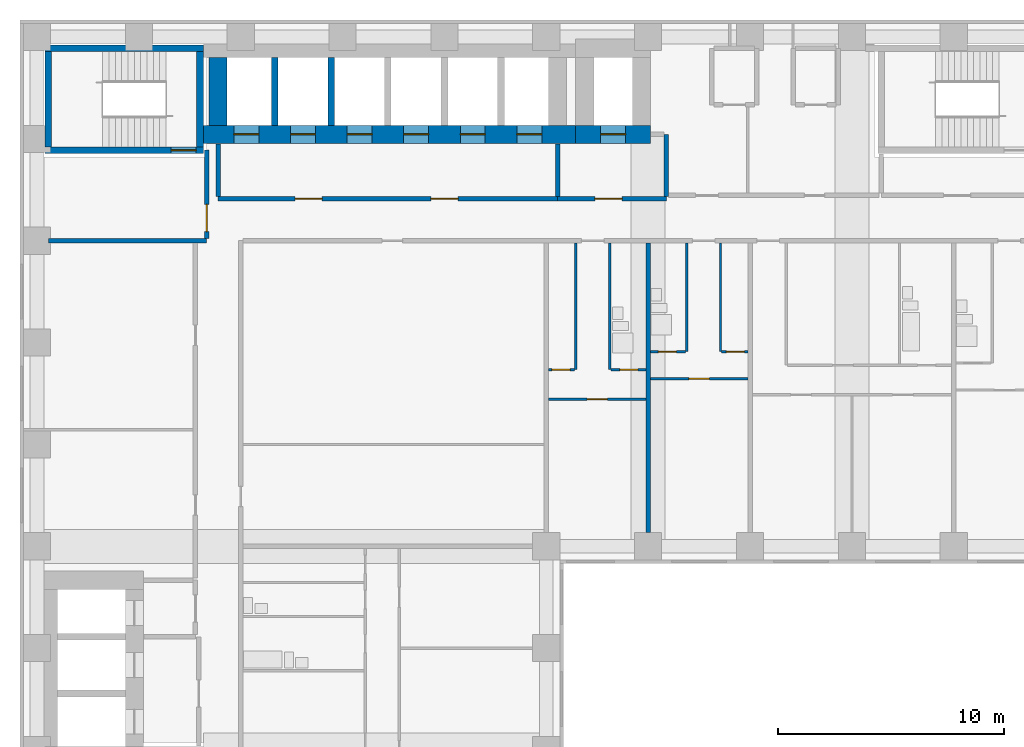
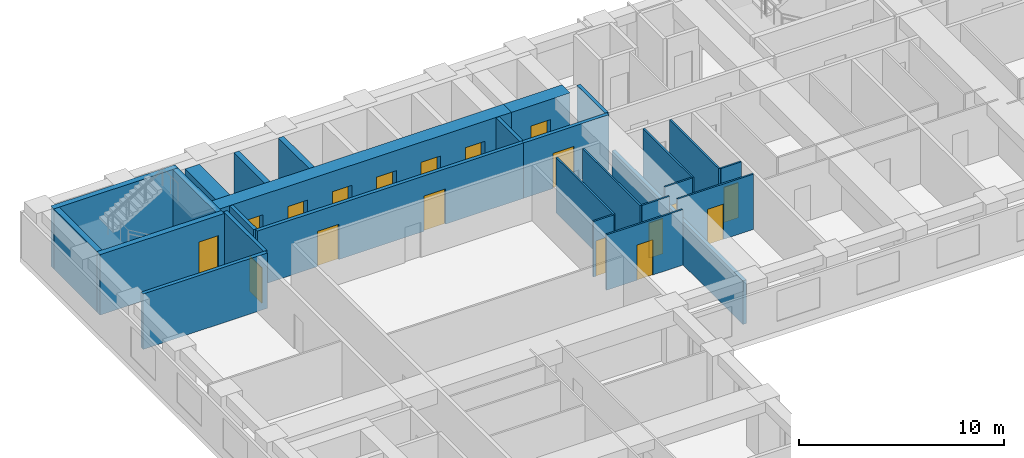
# One storey, part 5 of 12: 27 walls, 18 doors, 18 openings.
"""IFC4 building model written with IfcOpenShell, lengths in metres."""

from ifc_helpers import new_model, si_unit, direction, frame, frame_2d, origin, place, context, subcontext, project, spatial, rectangle, extrude, material, layer, layer_set, type_object, element, fill, save


model = new_model("IFC4")

# Units and contexts
model_context = context("Model", 3, precision=1e-05, world=origin(), true_north=direction((0.0, 1.0)))
body_context = subcontext(model_context, "Body", "Model", "MODEL_VIEW")
ifc_project = project(units=[si_unit("LENGTHUNIT", "METRE"), si_unit("AREAUNIT", "SQUARE_METRE"), si_unit("VOLUMEUNIT", "CUBIC_METRE"), si_unit("PLANEANGLEUNIT", "RADIAN"), si_unit("MASSUNIT", "GRAM", prefix="KILO")], contexts=[model_context])

# Site, building, storey
site_placement = place(None, origin())
site = spatial("IfcSite", under=ifc_project, at=site_placement, CompositionType="ELEMENT")
building_placement = place(site_placement, origin())
building = spatial("IfcBuilding", under=site, at=building_placement, Name="Firuza Court", CompositionType="ELEMENT")
storey_placement = place(building_placement, frame((0.0, 0.0, 43.39990234375)))
storey = spatial("IfcBuildingStorey", under=building, at=storey_placement, Name="L09", CompositionType="ELEMENT", Elevation=43.39990234375)

# Walls
ifc_material_1 = material(Name="Moisture-resistant gypsum board partition")
ifc_layer_1 = layer(ifc_material_1, 0.10009765625)
ifc_layer_set_1 = layer_set([ifc_layer_1], Name="Moisture-resistant gypsum board partition")
wall_type_1 = type_object("IfcWallType", Name="Bathroom partition 100", PredefinedType="PLUMBINGWALL", material=ifc_layer_set_1)
wall_1_placement = place(storey_placement, frame((25.300048828125, 43.800048828125, 0.0), z_axis=(0.0, 0.0, 1.0), x_axis=(0.0, 1.0, 0.0)))
element("IfcWall", 1, at=wall_1_placement, inside=storey, type_object=wall_type_1, Name="Bathroom partition 100 L09", PredefinedType="PLUMBINGWALL", context=body_context, shape_type="SweptSolid", body=[
    extrude(rectangle(XDim=5.599853515625, YDim=0.10009765625, at=frame_2d((2.7998046875, 0.0))), origin(), (0.0, 0.0, 1.0), 3.300048828125),
])
wall_2_placement = place(storey_placement, frame((28.699951171875, 44.60009765625, 0.0), z_axis=(0.0, 0.0, 1.0), x_axis=(0.0, 1.0, 0.0)))
element("IfcWall", 2, at=wall_2_placement, inside=storey, type_object=wall_type_1, Name="Bathroom partition 100 L09", PredefinedType="PLUMBINGWALL", context=body_context, shape_type="SweptSolid", body=[
    extrude(rectangle(XDim=4.7998046875, YDim=0.10009765625, at=frame_2d((2.39990234375, 0.0))), origin(), (0.0, 0.0, 1.0), 3.300048828125),
])

# Wall, opening, door
ifc_material_2 = material(Name="Concrete C60/75", Category="concrete")
ifc_layer_2 = layer(ifc_material_2, 0.300048828125)
ifc_layer_set_2 = layer_set([ifc_layer_2], Name="Concrete C60/75")
wall_type_2 = type_object("IfcWallType", Name="Core wall 300 C60/75", PredefinedType="SHEAR", material=ifc_layer_set_2)
wall_3_placement = place(storey_placement, frame((0.35009765625, 53.5, -0.2998046875), z_axis=(0.0, 0.0, 1.0), x_axis=(1.0, 0.0, 0.0)))
wall_3 = element("IfcWall", 3, at=wall_3_placement, inside=storey, type_object=wall_type_2, Name="Core wall stair L09", PredefinedType="SHEAR", context=body_context, shape_type="SweptSolid", body=[
    extrude(rectangle(XDim=7.0, YDim=0.300048828125, at=frame_2d((3.5, 0.0))), origin(), (0.0, 0.0, 1.0), 3.599853515625),
])
opening_1_placement = place(wall_3_placement, frame((5.580078125, 0.0, 0.300048828125)))
opening_1 = element("IfcOpeningElement", 4, at=opening_1_placement, cuts=wall_3, Name="Opening D09016", PredefinedType="OPENING", context=body_context, shape_type="SweptSolid", body=[
    extrude(rectangle(XDim=1.10009765625, YDim=2.10009765625, at=frame_2d((0.550048828125, 1.050048828125))), frame((0.0, 0.162109375, 0.0), z_axis=(0.0, -1.0, 0.0), x_axis=(1.0, 0.0, 0.0)), (0.0, 0.0, 1.0), 0.323974609375),
])
ifc_material_3 = material(Name="Timber door leaf in hardwood frame", Category="wood")
door_type_1 = type_object("IfcDoorType", Name="Stair door 1100", OperationType="SINGLE_SWING_LEFT", PredefinedType="DOOR", material=ifc_material_3)
door_1_placement = place(opening_1_placement, origin())
door_1 = element("IfcDoor", 5, at=door_1_placement, inside=storey, type_object=door_type_1, Name="Stair door S3", OperationType="SINGLE_SWING_RIGHT", OverallHeight=2.10009765625, OverallWidth=1.10009765625, PredefinedType="DOOR", context=body_context, shape_type="SweptSolid", body=[
    extrude(rectangle(XDim=1.10009765625, YDim=2.10009765625, at=frame_2d((0.550048828125, 1.050048828125))), frame((0.0, 0.02490234375, 0.0), z_axis=(0.0, -1.0, 0.0), x_axis=(1.0, 0.0, 0.0)), (0.0, 0.0, 1.0), 0.050048828125),
])
fill(opening_1, door_1)

# Walls
wall_4_placement = place(storey_placement, frame((0.35009765625, 58.0, -0.2998046875), z_axis=(0.0, 0.0, 1.0), x_axis=(1.0, 0.0, 0.0)))
element("IfcWall", 6, at=wall_4_placement, inside=storey, type_object=wall_type_2, Name="Core wall stair L09", PredefinedType="SHEAR", context=body_context, shape_type="SweptSolid", body=[
    extrude(rectangle(XDim=7.0, YDim=0.300048828125, at=frame_2d((3.5, 0.0))), origin(), (0.0, 0.0, 1.0), 3.599853515625),
])
for number, where, z_axis, x_axis, name in (
    (7, (0.5, 53.64990234375, -0.2998046875), (0.0, 0.0, 1.0), (0.0, 1.0, 0.0), "Core wall stair L09"),
    (8, (7.199951171875, 53.64990234375, -0.2998046875), (0.0, 0.0, 1.0), (0.0, 1.0, 0.0), "Core wall stair L09"),
):
    element("IfcWall", number, at=place(storey_placement, frame(where, z_axis=z_axis, x_axis=x_axis)), inside=storey, type_object=wall_type_2, Name=name, PredefinedType="SHEAR", context=body_context, shape_type="SweptSolid", body=[
        extrude(rectangle(XDim=4.2001953125, YDim=0.300048828125, at=frame_2d((2.10009765625, 0.0))), origin(), (0.0, 0.0, 1.0), 3.599853515625),
    ])
for number, where, z_axis, x_axis, name in (
    (9, (10.5, 54.60009765625, -0.2998046875), (0.0, 0.0, 1.0), (0.0, 1.0, 0.0), "Core wall lift shaft L09"),
    (10, (13.0, 54.60009765625, -0.2998046875), (0.0, 0.0, 1.0), (0.0, 1.0, 0.0), "Core wall lift shaft L09"),
):
    element("IfcWall", number, at=place(storey_placement, frame(where, z_axis=z_axis, x_axis=x_axis)), inside=storey, type_object=wall_type_2, Name=name, PredefinedType="SHEAR", context=body_context, shape_type="SweptSolid", body=[
        extrude(rectangle(XDim=3.0, YDim=0.300048828125, at=frame_2d((1.5, 0.0))), origin(), (0.0, 0.0, 1.0), 3.599853515625),
    ])

# Wall, openings, doors
ifc_layer_3 = layer(ifc_material_2, 0.800048828125)
ifc_layer_set_3 = layer_set([ifc_layer_3], Name="Concrete C60/75")
wall_type_3 = type_object("IfcWallType", Name="Core wall 800 C60/75", PredefinedType="SHEAR", material=ifc_layer_set_3)
wall_5_placement = place(storey_placement, frame((7.35009765625, 54.199951171875, -0.2998046875), z_axis=(0.0, 0.0, 1.0), x_axis=(1.0, 0.0, 0.0)))
wall_5 = element("IfcWall", 11, at=wall_5_placement, inside=storey, type_object=wall_type_3, Name="Core wall lift shaft L09", PredefinedType="SHEAR", context=body_context, shape_type="SweptSolid", body=[
    extrude(rectangle(XDim=16.449951171875, YDim=0.800048828125, at=frame_2d((8.22509765625, 0.0))), origin(), (0.0, 0.0, 1.0), 3.599853515625),
])
opening_2_placement = place(wall_5_placement, frame((1.35009765625, 0.0, 0.300048828125)))
opening_2 = element("IfcOpeningElement", 12, at=opening_2_placement, cuts=wall_5, Name="Opening LD-LB1-09", PredefinedType="OPENING", context=body_context, shape_type="SweptSolid", body=[
    extrude(rectangle(XDim=1.10009765625, YDim=2.10009765625, at=frame_2d((0.550048828125, 1.050048828125))), frame((0.0, 0.412109375, 0.0), z_axis=(0.0, -1.0, 0.0), x_axis=(1.0, 0.0, 0.0)), (0.0, 0.0, 1.0), 0.823974609375),
])
opening_3_placement = place(wall_5_placement, frame((3.85009765625, 0.0, 0.300048828125)))
opening_3 = element("IfcOpeningElement", 13, at=opening_3_placement, cuts=wall_5, Name="Opening LD-LB2-09", PredefinedType="OPENING", context=body_context, shape_type="SweptSolid", body=[
    extrude(rectangle(XDim=1.10009765625, YDim=2.10009765625, at=frame_2d((0.550048828125, 1.050048828125))), frame((0.0, 0.412109375, 0.0), z_axis=(0.0, -1.0, 0.0), x_axis=(1.0, 0.0, 0.0)), (0.0, 0.0, 1.0), 0.823974609375),
])
opening_4_placement = place(wall_5_placement, frame((6.35009765625, 0.0, 0.300048828125)))
opening_4 = element("IfcOpeningElement", 14, at=opening_4_placement, cuts=wall_5, Name="Opening LD-LB3-09", PredefinedType="OPENING", context=body_context, shape_type="SweptSolid", body=[
    extrude(rectangle(XDim=1.10009765625, YDim=2.10009765625, at=frame_2d((0.550048828125, 1.050048828125))), frame((0.0, 0.412109375, 0.0), z_axis=(0.0, -1.0, 0.0), x_axis=(1.0, 0.0, 0.0)), (0.0, 0.0, 1.0), 0.823974609375),
])
opening_5_placement = place(wall_5_placement, frame((8.85009765625, 0.0, 0.300048828125)))
opening_5 = element("IfcOpeningElement", 15, at=opening_5_placement, cuts=wall_5, Name="Opening LD-LB4-09", PredefinedType="OPENING", context=body_context, shape_type="SweptSolid", body=[
    extrude(rectangle(XDim=1.10009765625, YDim=2.10009765625, at=frame_2d((0.550048828125, 1.050048828125))), frame((0.0, 0.412109375, 0.0), z_axis=(0.0, -1.0, 0.0), x_axis=(1.0, 0.0, 0.0)), (0.0, 0.0, 1.0), 0.823974609375),
])
opening_6_placement = place(wall_5_placement, frame((11.35009765625, 0.0, 0.300048828125)))
opening_6 = element("IfcOpeningElement", 16, at=opening_6_placement, cuts=wall_5, Name="Opening LD-LB5-09", PredefinedType="OPENING", context=body_context, shape_type="SweptSolid", body=[
    extrude(rectangle(XDim=1.10009765625, YDim=2.10009765625, at=frame_2d((0.550048828125, 1.050048828125))), frame((0.0, 0.412109375, 0.0), z_axis=(0.0, -1.0, 0.0), x_axis=(1.0, 0.0, 0.0)), (0.0, 0.0, 1.0), 0.823974609375),
])
opening_7_placement = place(wall_5_placement, frame((13.85009765625, 0.0, 0.300048828125)))
opening_7 = element("IfcOpeningElement", 17, at=opening_7_placement, cuts=wall_5, Name="Opening LD-LB6-09", PredefinedType="OPENING", context=body_context, shape_type="SweptSolid", body=[
    extrude(rectangle(XDim=1.10009765625, YDim=2.10009765625, at=frame_2d((0.550048828125, 1.050048828125))), frame((0.0, 0.412109375, 0.0), z_axis=(0.0, -1.0, 0.0), x_axis=(1.0, 0.0, 0.0)), (0.0, 0.0, 1.0), 0.823974609375),
])
ifc_material_4 = material(Name="Stainless steel 1.4301 door leaf", Category="steel")
door_type_2 = type_object("IfcDoorType", Name="Lift landing door 1100", OperationType="SLIDING_TO_LEFT", PredefinedType="DOOR", material=ifc_material_4)
door_2_placement = place(opening_2_placement, origin())
door_2 = element("IfcDoor", 18, at=door_2_placement, inside=storey, type_object=door_type_2, Name="Landing door LB1", OperationType="SLIDING_TO_LEFT", OverallHeight=2.10009765625, OverallWidth=1.10009765625, PredefinedType="DOOR", context=body_context, shape_type="SweptSolid", body=[
    extrude(rectangle(XDim=1.10009765625, YDim=2.10009765625, at=frame_2d((0.550048828125, 1.050048828125))), frame((0.0, 0.02490234375, 0.0), z_axis=(0.0, -1.0, 0.0), x_axis=(1.0, 0.0, 0.0)), (0.0, 0.0, 1.0), 0.050048828125),
])
fill(opening_2, door_2)
door_3_placement = place(opening_3_placement, origin())
door_3 = element("IfcDoor", 19, at=door_3_placement, inside=storey, type_object=door_type_2, Name="Landing door LB2", OperationType="SLIDING_TO_LEFT", OverallHeight=2.10009765625, OverallWidth=1.10009765625, PredefinedType="DOOR", context=body_context, shape_type="SweptSolid", body=[
    extrude(rectangle(XDim=1.10009765625, YDim=2.10009765625, at=frame_2d((0.550048828125, 1.050048828125))), frame((0.0, 0.02490234375, 0.0), z_axis=(0.0, -1.0, 0.0), x_axis=(1.0, 0.0, 0.0)), (0.0, 0.0, 1.0), 0.050048828125),
])
fill(opening_3, door_3)
door_4_placement = place(opening_4_placement, origin())
door_4 = element("IfcDoor", 20, at=door_4_placement, inside=storey, type_object=door_type_2, Name="Landing door LB3", OperationType="SLIDING_TO_LEFT", OverallHeight=2.10009765625, OverallWidth=1.10009765625, PredefinedType="DOOR", context=body_context, shape_type="SweptSolid", body=[
    extrude(rectangle(XDim=1.10009765625, YDim=2.10009765625, at=frame_2d((0.550048828125, 1.050048828125))), frame((0.0, 0.02490234375, 0.0), z_axis=(0.0, -1.0, 0.0), x_axis=(1.0, 0.0, 0.0)), (0.0, 0.0, 1.0), 0.050048828125),
])
fill(opening_4, door_4)
door_5_placement = place(opening_5_placement, origin())
door_5 = element("IfcDoor", 21, at=door_5_placement, inside=storey, type_object=door_type_2, Name="Landing door LB4", OperationType="SLIDING_TO_LEFT", OverallHeight=2.10009765625, OverallWidth=1.10009765625, PredefinedType="DOOR", context=body_context, shape_type="SweptSolid", body=[
    extrude(rectangle(XDim=1.10009765625, YDim=2.10009765625, at=frame_2d((0.550048828125, 1.050048828125))), frame((0.0, 0.02490234375, 0.0), z_axis=(0.0, -1.0, 0.0), x_axis=(1.0, 0.0, 0.0)), (0.0, 0.0, 1.0), 0.050048828125),
])
fill(opening_5, door_5)
door_6_placement = place(opening_6_placement, origin())
door_6 = element("IfcDoor", 22, at=door_6_placement, inside=storey, type_object=door_type_2, Name="Landing door LB5", OperationType="SLIDING_TO_LEFT", OverallHeight=2.10009765625, OverallWidth=1.10009765625, PredefinedType="DOOR", context=body_context, shape_type="SweptSolid", body=[
    extrude(rectangle(XDim=1.10009765625, YDim=2.10009765625, at=frame_2d((0.550048828125, 1.050048828125))), frame((0.0, 0.02490234375, 0.0), z_axis=(0.0, -1.0, 0.0), x_axis=(1.0, 0.0, 0.0)), (0.0, 0.0, 1.0), 0.050048828125),
])
fill(opening_6, door_6)
door_7_placement = place(opening_7_placement, origin())
door_7 = element("IfcDoor", 23, at=door_7_placement, inside=storey, type_object=door_type_2, Name="Landing door LB6", OperationType="SLIDING_TO_LEFT", OverallHeight=2.10009765625, OverallWidth=1.10009765625, PredefinedType="DOOR", context=body_context, shape_type="SweptSolid", body=[
    extrude(rectangle(XDim=1.10009765625, YDim=2.10009765625, at=frame_2d((0.550048828125, 1.050048828125))), frame((0.0, 0.02490234375, 0.0), z_axis=(0.0, -1.0, 0.0), x_axis=(1.0, 0.0, 0.0)), (0.0, 0.0, 1.0), 0.050048828125),
])
fill(opening_7, door_7)

# Wall
wall_6_placement = place(storey_placement, frame((8.0, 54.60009765625, -0.2998046875), z_axis=(0.0, 0.0, 1.0), x_axis=(0.0, 1.0, 0.0)))
element("IfcWall", 24, at=wall_6_placement, inside=storey, type_object=wall_type_3, Name="Core wall lift shaft L09", PredefinedType="SHEAR", context=body_context, shape_type="SweptSolid", body=[
    extrude(rectangle(XDim=3.0, YDim=0.800048828125, at=frame_2d((1.5, 0.0))), origin(), (0.0, 0.0, 1.0), 3.599853515625),
])

# Wall, opening, door
wall_7_placement = place(storey_placement, frame((23.800048828125, 54.199951171875, -0.2998046875), z_axis=(0.0, 0.0, 1.0), x_axis=(1.0, 0.0, 0.0)))
wall_7 = element("IfcWall", 25, at=wall_7_placement, inside=storey, type_object=wall_type_3, Name="Core wall lift shaft L09", PredefinedType="SHEAR", context=body_context, shape_type="SweptSolid", body=[
    extrude(rectangle(XDim=3.300048828125, YDim=0.800048828125, at=frame_2d((1.64990234375, 0.0))), origin(), (0.0, 0.0, 1.0), 3.599853515625),
])
opening_8_placement = place(wall_7_placement, frame((1.10009765625, 0.0, 0.300048828125)))
opening_8 = element("IfcOpeningElement", 26, at=opening_8_placement, cuts=wall_7, Name="Opening LD-FL3-09", PredefinedType="OPENING", context=body_context, shape_type="SweptSolid", body=[
    extrude(rectangle(XDim=1.10009765625, YDim=2.10009765625, at=frame_2d((0.550048828125, 1.050048828125))), frame((0.0, 0.412109375, 0.0), z_axis=(0.0, -1.0, 0.0), x_axis=(1.0, 0.0, 0.0)), (0.0, 0.0, 1.0), 0.823974609375),
])
door_8_placement = place(opening_8_placement, origin())
door_8 = element("IfcDoor", 27, at=door_8_placement, inside=storey, type_object=door_type_2, Name="Landing door FL3", OperationType="SLIDING_TO_LEFT", OverallHeight=2.10009765625, OverallWidth=1.10009765625, PredefinedType="DOOR", context=body_context, shape_type="SweptSolid", body=[
    extrude(rectangle(XDim=1.10009765625, YDim=2.10009765625, at=frame_2d((0.550048828125, 1.050048828125))), frame((0.0, 0.02490234375, 0.0), z_axis=(0.0, -1.0, 0.0), x_axis=(1.0, 0.0, 0.0)), (0.0, 0.0, 1.0), 0.050048828125),
])
fill(opening_8, door_8)

ifc_material_5 = material(Name="Timber stud partition, plasterboard both sides", Category="wood")
ifc_layer_4 = layer(ifc_material_5, 0.10009765625)
ifc_layer_set_4 = layer_set([ifc_layer_4], Name="Timber stud partition, plasterboard both sides")
wall_type_4 = type_object("IfcWallType", Name="Partition wall 100", PredefinedType="PARTITIONING", material=ifc_layer_set_4)
wall_8_placement = place(storey_placement, frame((22.60009765625, 42.5, 0.0), z_axis=(0.0, 0.0, 1.0), x_axis=(1.0, 0.0, 0.0)))
wall_8 = element("IfcWall", 28, at=wall_8_placement, inside=storey, type_object=wall_type_4, Name="Partition wall 100 L09", PredefinedType="PARTITIONING", context=body_context, shape_type="SweptSolid", body=[
    extrude(rectangle(XDim=4.2998046875, YDim=0.10009765625, at=frame_2d((2.14990234375, 0.0))), origin(), (0.0, 0.0, 1.0), 3.300048828125),
])
opening_9_placement = place(wall_8_placement, frame((1.699951171875, 0.0, 0.0)))
opening_9 = element("IfcOpeningElement", 29, at=opening_9_placement, cuts=wall_8, Name="Opening D09048", PredefinedType="OPENING", context=body_context, shape_type="SweptSolid", body=[
    extrude(rectangle(XDim=0.89990234375, YDim=2.10009765625, at=frame_2d((0.449951171875, 1.050048828125))), frame((0.0, 0.06201171875, 0.0), z_axis=(0.0, -1.0, 0.0), x_axis=(1.0, 0.0, 0.0)), (0.0, 0.0, 1.0), 0.1240234375),
])
ifc_material_6 = material(Name="Timber door leaf in hardwood frame", Category="wood")
door_type_3 = type_object("IfcDoorType", Name="Room door 900", OperationType="SINGLE_SWING_LEFT", PredefinedType="DOOR", material=ifc_material_6)
door_9_placement = place(opening_9_placement, frame((0.89990234375, 0.0, 0.0), z_axis=(0.0, 0.0, 1.0), x_axis=(-1.0, 0.0, 0.0)))
door_9 = element("IfcDoor", 30, at=door_9_placement, inside=storey, type_object=door_type_3, Name="Studio room door", OperationType="SINGLE_SWING_RIGHT", OverallHeight=2.10009765625, OverallWidth=0.89990234375, PredefinedType="DOOR", context=body_context, shape_type="SweptSolid", body=[
    extrude(rectangle(XDim=0.89990234375, YDim=2.10009765625, at=frame_2d((0.449951171875, 1.050048828125))), frame((0.0, 0.02490234375, 0.0), z_axis=(0.0, -1.0, 0.0), x_axis=(1.0, 0.0, 0.0)), (0.0, 0.0, 1.0), 0.050048828125),
])
fill(opening_9, door_9)

wall_9_placement = place(storey_placement, frame((27.10009765625, 43.39990234375, 0.0), z_axis=(0.0, 0.0, 1.0), x_axis=(1.0, 0.0, 0.0)))
wall_9 = element("IfcWall", 31, at=wall_9_placement, inside=storey, type_object=wall_type_4, Name="Partition wall 100 L09", PredefinedType="PARTITIONING", context=body_context, shape_type="SweptSolid", body=[
    extrude(rectangle(XDim=4.2998046875, YDim=0.10009765625, at=frame_2d((2.14990234375, 0.0))), origin(), (0.0, 0.0, 1.0), 3.300048828125),
])
opening_10_placement = place(wall_9_placement, frame((1.699951171875, 0.0, 0.0)))
opening_10 = element("IfcOpeningElement", 32, at=opening_10_placement, cuts=wall_9, Name="Opening D09052", PredefinedType="OPENING", context=body_context, shape_type="SweptSolid", body=[
    extrude(rectangle(XDim=0.89990234375, YDim=2.10009765625, at=frame_2d((0.449951171875, 1.050048828125))), frame((0.0, 0.06201171875, 0.0), z_axis=(0.0, -1.0, 0.0), x_axis=(1.0, 0.0, 0.0)), (0.0, 0.0, 1.0), 0.1240234375),
])
door_10_placement = place(opening_10_placement, frame((0.89990234375, 0.0, 0.0), z_axis=(0.0, 0.0, 1.0), x_axis=(-1.0, 0.0, 0.0)))
door_10 = element("IfcDoor", 33, at=door_10_placement, inside=storey, type_object=door_type_3, Name="Studio room door", OperationType="SINGLE_SWING_RIGHT", OverallHeight=2.10009765625, OverallWidth=0.89990234375, PredefinedType="DOOR", context=body_context, shape_type="SweptSolid", body=[
    extrude(rectangle(XDim=0.89990234375, YDim=2.10009765625, at=frame_2d((0.449951171875, 1.050048828125))), frame((0.0, 0.02490234375, 0.0), z_axis=(0.0, -1.0, 0.0), x_axis=(1.0, 0.0, 0.0)), (0.0, 0.0, 1.0), 0.050048828125),
])
fill(opening_10, door_10)

wall_10_placement = place(storey_placement, frame((22.60009765625, 43.800048828125, 0.0), z_axis=(0.0, 0.0, 1.0), x_axis=(1.0, 0.0, 0.0)))
wall_10 = element("IfcWall", 34, at=wall_10_placement, inside=storey, type_object=wall_type_4, Name="Partition wall 100 L09", PredefinedType="PARTITIONING", context=body_context, shape_type="SweptSolid", body=[
    extrude(rectangle(XDim=1.14990234375, YDim=0.10009765625, at=frame_2d((0.574951171875, 0.0))), origin(), (0.0, 0.0, 1.0), 3.300048828125),
])
opening_11_placement = place(wall_10_placement, frame((0.14990234375, 0.0, 0.0)))
opening_11 = element("IfcOpeningElement", 35, at=opening_11_placement, cuts=wall_10, Name="Opening D09053", PredefinedType="OPENING", context=body_context, shape_type="SweptSolid", body=[
    extrude(rectangle(XDim=0.800048828125, YDim=2.10009765625, at=frame_2d((0.39990234375, 1.050048828125))), frame((0.0, 0.06201171875, 0.0), z_axis=(0.0, -1.0, 0.0), x_axis=(1.0, 0.0, 0.0)), (0.0, 0.0, 1.0), 0.1240234375),
])
ifc_material_7 = material(Name="Timber door leaf in hardwood frame", Category="wood")
door_type_4 = type_object("IfcDoorType", Name="Room door 800", OperationType="SINGLE_SWING_LEFT", PredefinedType="DOOR", material=ifc_material_7)
door_11_placement = place(opening_11_placement, origin())
door_11 = element("IfcDoor", 36, at=door_11_placement, inside=storey, type_object=door_type_4, Name="Kitchen door", OperationType="SINGLE_SWING_LEFT", OverallHeight=2.10009765625, OverallWidth=0.800048828125, PredefinedType="DOOR", context=body_context, shape_type="SweptSolid", body=[
    extrude(rectangle(XDim=0.800048828125, YDim=2.10009765625, at=frame_2d((0.39990234375, 1.050048828125))), frame((0.0, 0.02490234375, 0.0), z_axis=(0.0, -1.0, 0.0), x_axis=(1.0, 0.0, 0.0)), (0.0, 0.0, 1.0), 0.050048828125),
])
fill(opening_11, door_11)

# Wall
wall_11_placement = place(storey_placement, frame((23.800048828125, 43.800048828125, 0.0), z_axis=(0.0, 0.0, 1.0), x_axis=(0.0, 1.0, 0.0)))
element("IfcWall", 37, at=wall_11_placement, inside=storey, type_object=wall_type_4, Name="Partition wall 100 L09", PredefinedType="PARTITIONING", context=body_context, shape_type="SweptSolid", body=[
    extrude(rectangle(XDim=5.599853515625, YDim=0.10009765625, at=frame_2d((2.7998046875, 0.0))), origin(), (0.0, 0.0, 1.0), 3.300048828125),
])

# Wall, opening, door
wall_12_placement = place(storey_placement, frame((25.35009765625, 43.800048828125, 0.0), z_axis=(0.0, 0.0, 1.0), x_axis=(1.0, 0.0, 0.0)))
wall_12 = element("IfcWall", 38, at=wall_12_placement, inside=storey, type_object=wall_type_4, Name="Partition wall 100 L09", PredefinedType="PARTITIONING", context=body_context, shape_type="SweptSolid", body=[
    extrude(rectangle(XDim=1.5498046875, YDim=0.10009765625, at=frame_2d((0.77490234375, 0.0))), origin(), (0.0, 0.0, 1.0), 3.300048828125),
])
opening_12_placement = place(wall_12_placement, frame((0.39990234375, 0.0, 0.0)))
opening_12 = element("IfcOpeningElement", 39, at=opening_12_placement, cuts=wall_12, Name="Opening D09054", PredefinedType="OPENING", context=body_context, shape_type="SweptSolid", body=[
    extrude(rectangle(XDim=0.800048828125, YDim=2.10009765625, at=frame_2d((0.39990234375, 1.050048828125))), frame((0.0, 0.06201171875, 0.0), z_axis=(0.0, -1.0, 0.0), x_axis=(1.0, 0.0, 0.0)), (0.0, 0.0, 1.0), 0.1240234375),
])
ifc_material_8 = material(Name="Timber door leaf in hardwood frame", Category="wood")
door_type_5 = type_object("IfcDoorType", Name="Bathroom door 800", OperationType="SINGLE_SWING_LEFT", PredefinedType="DOOR", material=ifc_material_8)
door_12_placement = place(opening_12_placement, origin())
door_12 = element("IfcDoor", 40, at=door_12_placement, inside=storey, type_object=door_type_5, Name="Bathroom door", OperationType="SINGLE_SWING_LEFT", OverallHeight=2.10009765625, OverallWidth=0.800048828125, PredefinedType="DOOR", context=body_context, shape_type="SweptSolid", body=[
    extrude(rectangle(XDim=0.800048828125, YDim=2.10009765625, at=frame_2d((0.39990234375, 1.050048828125))), frame((0.0, 0.02490234375, 0.0), z_axis=(0.0, -1.0, 0.0), x_axis=(1.0, 0.0, 0.0)), (0.0, 0.0, 1.0), 0.050048828125),
])
fill(opening_12, door_12)

wall_13_placement = place(storey_placement, frame((27.10009765625, 44.60009765625, 0.0), z_axis=(0.0, 0.0, 1.0), x_axis=(1.0, 0.0, 0.0)))
wall_13 = element("IfcWall", 41, at=wall_13_placement, inside=storey, type_object=wall_type_4, Name="Partition wall 100 L09", PredefinedType="PARTITIONING", context=body_context, shape_type="SweptSolid", body=[
    extrude(rectangle(XDim=1.5498046875, YDim=0.10009765625, at=frame_2d((0.77490234375, 0.0))), origin(), (0.0, 0.0, 1.0), 3.300048828125),
])
opening_13_placement = place(wall_13_placement, frame((0.35009765625, 0.0, 0.0)))
opening_13 = element("IfcOpeningElement", 42, at=opening_13_placement, cuts=wall_13, Name="Opening D09065", PredefinedType="OPENING", context=body_context, shape_type="SweptSolid", body=[
    extrude(rectangle(XDim=0.800048828125, YDim=2.10009765625, at=frame_2d((0.39990234375, 1.050048828125))), frame((0.0, 0.06201171875, 0.0), z_axis=(0.0, -1.0, 0.0), x_axis=(1.0, 0.0, 0.0)), (0.0, 0.0, 1.0), 0.1240234375),
])
door_13_placement = place(opening_13_placement, origin())
door_13 = element("IfcDoor", 43, at=door_13_placement, inside=storey, type_object=door_type_5, Name="Bathroom door", OperationType="SINGLE_SWING_LEFT", OverallHeight=2.10009765625, OverallWidth=0.800048828125, PredefinedType="DOOR", context=body_context, shape_type="SweptSolid", body=[
    extrude(rectangle(XDim=0.800048828125, YDim=2.10009765625, at=frame_2d((0.39990234375, 1.050048828125))), frame((0.0, 0.02490234375, 0.0), z_axis=(0.0, -1.0, 0.0), x_axis=(1.0, 0.0, 0.0)), (0.0, 0.0, 1.0), 0.050048828125),
])
fill(opening_13, door_13)

# Wall
wall_14_placement = place(storey_placement, frame((30.199951171875, 44.60009765625, 0.0), z_axis=(0.0, 0.0, 1.0), x_axis=(0.0, 1.0, 0.0)))
element("IfcWall", 44, at=wall_14_placement, inside=storey, type_object=wall_type_4, Name="Partition wall 100 L09", PredefinedType="PARTITIONING", context=body_context, shape_type="SweptSolid", body=[
    extrude(rectangle(XDim=4.7998046875, YDim=0.10009765625, at=frame_2d((2.39990234375, 0.0))), origin(), (0.0, 0.0, 1.0), 3.300048828125),
])

# Wall, opening, door
wall_15_placement = place(storey_placement, frame((30.25, 44.60009765625, 0.0), z_axis=(0.0, 0.0, 1.0), x_axis=(1.0, 0.0, 0.0)))
wall_15 = element("IfcWall", 45, at=wall_15_placement, inside=storey, type_object=wall_type_4, Name="Partition wall 100 L09", PredefinedType="PARTITIONING", context=body_context, shape_type="SweptSolid", body=[
    extrude(rectangle(XDim=1.14990234375, YDim=0.10009765625, at=frame_2d((0.574951171875, 0.0))), origin(), (0.0, 0.0, 1.0), 3.300048828125),
])
opening_14_placement = place(wall_15_placement, frame((0.199951171875, 0.0, 0.0)))
opening_14 = element("IfcOpeningElement", 46, at=opening_14_placement, cuts=wall_15, Name="Opening D09066", PredefinedType="OPENING", context=body_context, shape_type="SweptSolid", body=[
    extrude(rectangle(XDim=0.800048828125, YDim=2.10009765625, at=frame_2d((0.39990234375, 1.050048828125))), frame((0.0, 0.06201171875, 0.0), z_axis=(0.0, -1.0, 0.0), x_axis=(1.0, 0.0, 0.0)), (0.0, 0.0, 1.0), 0.1240234375),
])
door_14_placement = place(opening_14_placement, origin())
door_14 = element("IfcDoor", 47, at=door_14_placement, inside=storey, type_object=door_type_4, Name="Kitchen door", OperationType="SINGLE_SWING_LEFT", OverallHeight=2.10009765625, OverallWidth=0.800048828125, PredefinedType="DOOR", context=body_context, shape_type="SweptSolid", body=[
    extrude(rectangle(XDim=0.800048828125, YDim=2.10009765625, at=frame_2d((0.39990234375, 1.050048828125))), frame((0.0, 0.02490234375, 0.0), z_axis=(0.0, -1.0, 0.0), x_axis=(1.0, 0.0, 0.0)), (0.0, 0.0, 1.0), 0.050048828125),
])
fill(opening_14, door_14)

# Wall
ifc_material_9 = material(Name="Blockwork, plastered both sides", Category="masonry")
ifc_layer_5 = layer(ifc_material_9, 0.199951171875)
ifc_layer_set_5 = layer_set([ifc_layer_5], Name="Blockwork, plastered both sides")
wall_type_5 = type_object("IfcWallType", Name="Party wall 200", PredefinedType="PARTITIONING", material=ifc_layer_set_5)
wall_16_placement = place(storey_placement, frame((27.0, 36.60009765625, 0.0), z_axis=(0.0, 0.0, 1.0), x_axis=(0.0, 1.0, 0.0)))
element("IfcWall", 48, at=wall_16_placement, inside=storey, type_object=wall_type_5, Name="Party wall 200 L09", PredefinedType="PARTITIONING", context=body_context, shape_type="SweptSolid", body=[
    extrude(rectangle(XDim=12.7998046875, YDim=0.199951171875, at=frame_2d((6.39990234375, 0.0))), origin(), (0.0, 0.0, 1.0), 2.60009765625),
])

# Wall, openings, doors
ifc_material_10 = material(Name="Blockwork, fire-rated", Category="masonry")
ifc_layer_6 = layer(ifc_material_10, 0.199951171875)
ifc_layer_set_6 = layer_set([ifc_layer_6], Name="Blockwork, fire-rated")
wall_type_6 = type_object("IfcWallType", Name="Shaft wall 200", PredefinedType="PARTITIONING", material=ifc_layer_set_6)
wall_17_placement = place(storey_placement, frame((8.0, 51.35009765625, 0.0), z_axis=(0.0, 0.0, 1.0), x_axis=(1.0, 0.0, 0.0)))
wall_17 = element("IfcWall", 49, at=wall_17_placement, inside=storey, type_object=wall_type_6, Name="Shaft wall 200 L09", PredefinedType="PARTITIONING", context=body_context, shape_type="SweptSolid", body=[
    extrude(rectangle(XDim=15.0, YDim=0.199951171875, at=frame_2d((7.5, 0.0))), origin(), (0.0, 0.0, 1.0), 3.300048828125),
])
opening_15_placement = place(wall_17_placement, frame((3.39990234375, 0.0, 0.0)))
opening_15 = element("IfcOpeningElement", 50, at=opening_15_placement, cuts=wall_17, Name="Opening D09004", PredefinedType="OPENING", context=body_context, shape_type="SweptSolid", body=[
    extrude(rectangle(XDim=1.199951171875, YDim=2.10009765625, at=frame_2d((0.60009765625, 1.050048828125))), frame((0.0, 0.11181640625, 0.0), z_axis=(0.0, -1.0, 0.0), x_axis=(1.0, 0.0, 0.0)), (0.0, 0.0, 1.0), 0.223876953125),
])
opening_16_placement = place(wall_17_placement, frame((9.39990234375, 0.0, 0.0)))
opening_16 = element("IfcOpeningElement", 51, at=opening_16_placement, cuts=wall_17, Name="Opening D09005", PredefinedType="OPENING", context=body_context, shape_type="SweptSolid", body=[
    extrude(rectangle(XDim=1.199951171875, YDim=2.10009765625, at=frame_2d((0.60009765625, 1.050048828125))), frame((0.0, 0.11181640625, 0.0), z_axis=(0.0, -1.0, 0.0), x_axis=(1.0, 0.0, 0.0)), (0.0, 0.0, 1.0), 0.223876953125),
])
ifc_material_11 = material(Name="Timber door leaf in hardwood frame", Category="wood")
door_type_6 = type_object("IfcDoorType", Name="Lobby door 1200", OperationType="SINGLE_SWING_LEFT", PredefinedType="DOOR", material=ifc_material_11)
door_15_placement = place(opening_15_placement, origin())
door_15 = element("IfcDoor", 52, at=door_15_placement, inside=storey, type_object=door_type_6, Name="Lobby door", OperationType="SINGLE_SWING_LEFT", OverallHeight=2.10009765625, OverallWidth=1.199951171875, PredefinedType="DOOR", context=body_context, shape_type="SweptSolid", body=[
    extrude(rectangle(XDim=1.199951171875, YDim=2.10009765625, at=frame_2d((0.60009765625, 1.050048828125))), frame((0.0, 0.02490234375, 0.0), z_axis=(0.0, -1.0, 0.0), x_axis=(1.0, 0.0, 0.0)), (0.0, 0.0, 1.0), 0.050048828125),
])
fill(opening_15, door_15)
door_16_placement = place(opening_16_placement, origin())
door_16 = element("IfcDoor", 53, at=door_16_placement, inside=storey, type_object=door_type_6, Name="Lobby door", OperationType="SINGLE_SWING_RIGHT", OverallHeight=2.10009765625, OverallWidth=1.199951171875, PredefinedType="DOOR", context=body_context, shape_type="SweptSolid", body=[
    extrude(rectangle(XDim=1.199951171875, YDim=2.10009765625, at=frame_2d((0.60009765625, 1.050048828125))), frame((0.0, 0.02490234375, 0.0), z_axis=(0.0, -1.0, 0.0), x_axis=(1.0, 0.0, 0.0)), (0.0, 0.0, 1.0), 0.050048828125),
])
fill(opening_16, door_16)

# Walls
for number, where, z_axis, x_axis, name in (
    (54, (23.0, 51.449951171875, 0.0), (0.0, 0.0, 1.0), (0.0, 1.0, 0.0), "Shaft wall 200 L09"),
    (55, (8.0, 51.449951171875, 0.0), (0.0, 0.0, 1.0), (0.0, 1.0, 0.0), "Shaft wall 200 L09"),
):
    element("IfcWall", number, at=place(storey_placement, frame(where, z_axis=z_axis, x_axis=x_axis)), inside=storey, type_object=wall_type_6, Name=name, PredefinedType="PARTITIONING", context=body_context, shape_type="SweptSolid", body=[
        extrude(rectangle(XDim=2.330078125, YDim=0.199951171875, at=frame_2d((1.1650390625, 0.0))), origin(), (0.0, 0.0, 1.0), 3.300048828125),
    ])

# Wall, opening, door
wall_18_placement = place(storey_placement, frame((23.0, 51.35009765625, 0.0), z_axis=(0.0, 0.0, 1.0), x_axis=(1.0, 0.0, 0.0)))
wall_18 = element("IfcWall", 56, at=wall_18_placement, inside=storey, type_object=wall_type_6, Name="Shaft wall 200 L09", PredefinedType="PARTITIONING", context=body_context, shape_type="SweptSolid", body=[
    extrude(rectangle(XDim=4.800048828125, YDim=0.199951171875, at=frame_2d((2.39990234375, 0.0))), origin(), (0.0, 0.0, 1.0), 3.300048828125),
])
opening_17_placement = place(wall_18_placement, frame((1.64990234375, 0.0, 0.0)))
opening_17 = element("IfcOpeningElement", 57, at=opening_17_placement, cuts=wall_18, Name="Opening D09003", PredefinedType="OPENING", context=body_context, shape_type="SweptSolid", body=[
    extrude(rectangle(XDim=1.199951171875, YDim=2.10009765625, at=frame_2d((0.60009765625, 1.050048828125))), frame((0.0, 0.11181640625, 0.0), z_axis=(0.0, -1.0, 0.0), x_axis=(1.0, 0.0, 0.0)), (0.0, 0.0, 1.0), 0.223876953125),
])
door_17_placement = place(opening_17_placement, origin())
door_17 = element("IfcDoor", 58, at=door_17_placement, inside=storey, type_object=door_type_6, Name="Fire-fighting lobby door", OperationType="SINGLE_SWING_LEFT", OverallHeight=2.10009765625, OverallWidth=1.199951171875, PredefinedType="DOOR", context=body_context, shape_type="SweptSolid", body=[
    extrude(rectangle(XDim=1.199951171875, YDim=2.10009765625, at=frame_2d((0.60009765625, 1.050048828125))), frame((0.0, 0.02490234375, 0.0), z_axis=(0.0, -1.0, 0.0), x_axis=(1.0, 0.0, 0.0)), (0.0, 0.0, 1.0), 0.050048828125),
])
fill(opening_17, door_17)

# Walls
wall_19_placement = place(storey_placement, frame((27.800048828125, 51.449951171875, 0.0), z_axis=(0.0, 0.0, 1.0), x_axis=(0.0, 1.0, 0.0)))
element("IfcWall", 59, at=wall_19_placement, inside=storey, type_object=wall_type_6, Name="Shaft wall 200 L09", PredefinedType="PARTITIONING", context=body_context, shape_type="SweptSolid", body=[
    extrude(rectangle(XDim=2.75, YDim=0.199951171875, at=frame_2d((1.375, 0.0))), origin(), (0.0, 0.0, 1.0), 3.300048828125),
])
wall_20_placement = place(storey_placement, frame((0.5, 49.5, 0.0), z_axis=(0.0, 0.0, 1.0), x_axis=(1.0, 0.0, 0.0)))
element("IfcWall", 60, at=wall_20_placement, inside=storey, type_object=wall_type_6, Name="Shaft wall 200 L09", PredefinedType="PARTITIONING", context=body_context, shape_type="SweptSolid", body=[
    extrude(rectangle(XDim=7.0, YDim=0.199951171875, at=frame_2d((3.5, 0.0))), origin(), (0.0, 0.0, 1.0), 3.300048828125),
])

# Wall, opening, door
wall_21_placement = place(storey_placement, frame((7.5, 49.60009765625, 0.0), z_axis=(0.0, 0.0, 1.0), x_axis=(0.0, 1.0, 0.0)))
wall_21 = element("IfcWall", 61, at=wall_21_placement, inside=storey, type_object=wall_type_6, Name="Shaft wall 200 L09", PredefinedType="PARTITIONING", context=body_context, shape_type="SweptSolid", body=[
    extrude(rectangle(XDim=3.89990234375, YDim=0.199951171875, at=frame_2d((1.949951171875, 0.0))), origin(), (0.0, 0.0, 1.0), 3.300048828125),
])
opening_18_placement = place(wall_21_placement, frame((0.300048828125, 0.0, 0.0)))
opening_18 = element("IfcOpeningElement", 62, at=opening_18_placement, cuts=wall_21, Name="Opening D09001", PredefinedType="OPENING", context=body_context, shape_type="SweptSolid", body=[
    extrude(rectangle(XDim=1.199951171875, YDim=2.10009765625, at=frame_2d((0.60009765625, 1.050048828125))), frame((0.0, 0.11181640625, 0.0), z_axis=(0.0, -1.0, 0.0), x_axis=(1.0, 0.0, 0.0)), (0.0, 0.0, 1.0), 0.223876953125),
])
door_18_placement = place(opening_18_placement, origin())
door_18 = element("IfcDoor", 63, at=door_18_placement, inside=storey, type_object=door_type_6, Name="Lobby door", OperationType="SINGLE_SWING_LEFT", OverallHeight=2.10009765625, OverallWidth=1.199951171875, PredefinedType="DOOR", context=body_context, shape_type="SweptSolid", body=[
    extrude(rectangle(XDim=1.199951171875, YDim=2.10009765625, at=frame_2d((0.60009765625, 1.050048828125))), frame((0.0, 0.02490234375, 0.0), z_axis=(0.0, -1.0, 0.0), x_axis=(1.0, 0.0, 0.0)), (0.0, 0.0, 1.0), 0.050048828125),
])
fill(opening_18, door_18)

save(model, "model.ifc")
